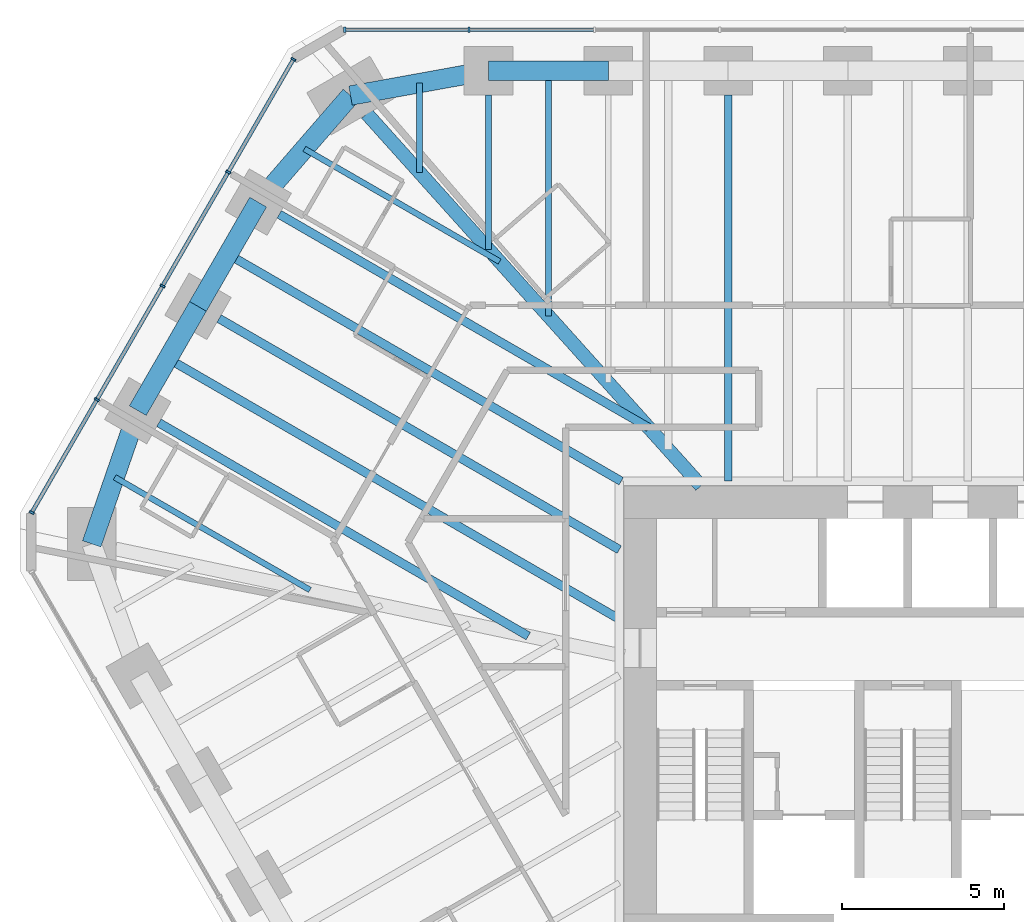
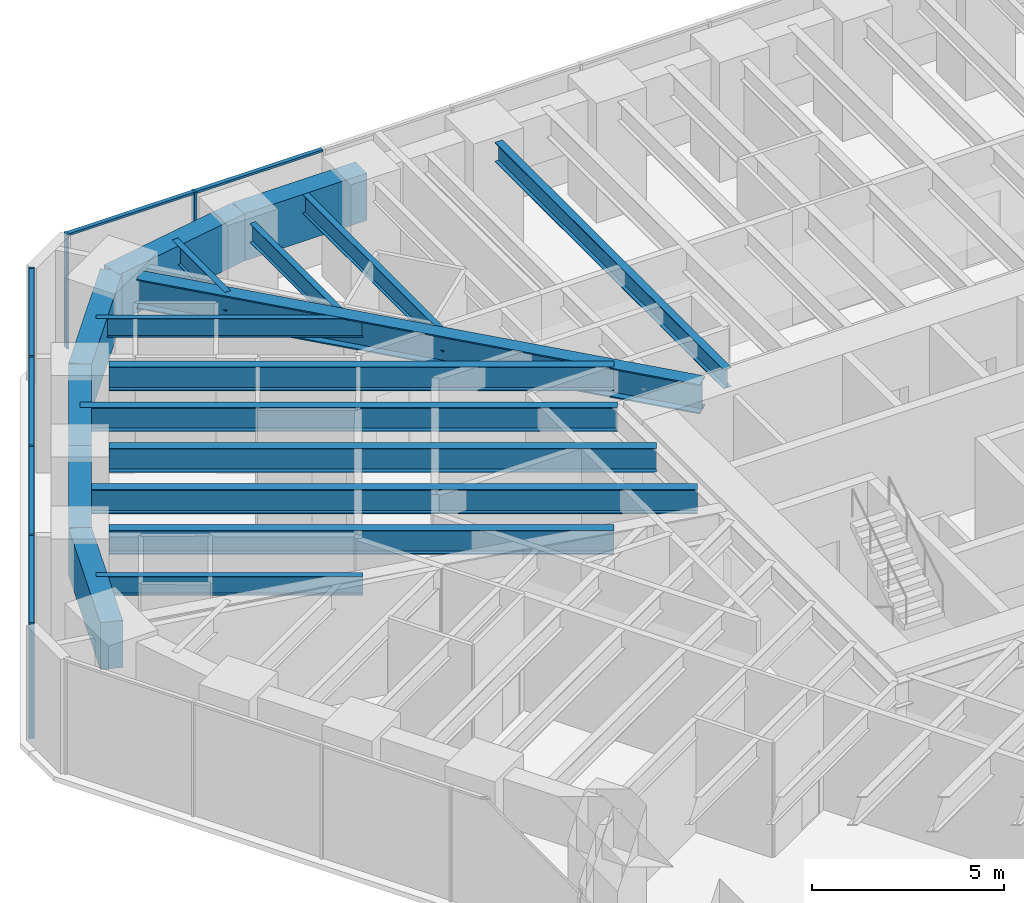
# One storey, part 7 of 16: 18 beams, 13 members, 2 elements without a shape of their own.
"""IFC4 building model written with IfcOpenShell, lengths in metres."""

from ifc_helpers import new_model, si_unit, direction, frame, origin, origin_2d, place, context, subcontext, project, spatial, rectangle, i_section, extrude, material, material_profile, profile_set, type_object, element, aggregate, save


model = new_model("IFC4")

# Units and contexts
model_context = context("Model", 3, precision=1e-05, world=origin(), true_north=direction((0.0, 1.0)))
body_context = subcontext(model_context, "Body", "Model", "MODEL_VIEW")
ifc_project = project(units=[si_unit("LENGTHUNIT", "METRE"), si_unit("AREAUNIT", "SQUARE_METRE"), si_unit("VOLUMEUNIT", "CUBIC_METRE"), si_unit("PLANEANGLEUNIT", "RADIAN"), si_unit("MASSUNIT", "GRAM", prefix="KILO")], contexts=[model_context])

# Site, building, storey
site_placement = place(None, origin())
site = spatial("IfcSite", under=ifc_project, at=site_placement, CompositionType="ELEMENT")
building_placement = place(site_placement, origin())
building = spatial("IfcBuilding", under=site, at=building_placement, Name="Sandreach Pilgrim Tower", CompositionType="ELEMENT")
storey_placement = place(building_placement, frame((0.0, 0.0, 209.800048828125)))
storey = spatial("IfcBuildingStorey", under=building, at=storey_placement, Name="L52", CompositionType="ELEMENT", Elevation=209.800048828125)

# Curtain wall, members
ifc_material_1 = material(Name="Aluminium framed curtain wall", Category="aluminium")
curtain_wall_type = type_object("IfcCurtainWallType", Name="Upper hotel tower curtain wall", PredefinedType="NOTDEFINED", material=ifc_material_1)
curtain_wall_1_placement = place(storey_placement, origin())
curtain_wall_1 = element("IfcCurtainWall", 1, at=curtain_wall_1_placement, inside=storey, type_object=curtain_wall_type, Name="CW-3 L52 N", PredefinedType="NOTDEFINED")
ifc_material_2 = material(Name="Aluminium extrusion", Category="aluminium")
ifc_material_profile_1 = material_profile(ifc_material_2, rectangle(XDim=0.06494140625, YDim=0.159912109375, at=origin_2d()), Name="CW-3M 65X160")
ifc_profile_set_1 = profile_set([ifc_material_profile_1], Name="Aluminium extrusion")
member_type_1 = type_object("IfcMemberType", Name="CW-3 mullion", PredefinedType="MULLION", material=ifc_profile_set_1)
member_1_placement = place(storey_placement, frame((-17.357421875, 21.16015625, 0.0), z_axis=(0.0, 0.0, 1.0), x_axis=(1.0, 0.0, 0.0)))
member_1 = element("IfcMember", 2, at=member_1_placement, type_object=member_type_1, Name="CW-3 mullion 1", PredefinedType="MULLION", context=body_context, shape_type="SweptSolid", body=[
    extrude(rectangle(XDim=0.06494140625, YDim=0.159912109375, at=origin_2d()), origin(), (0.0, 0.0, 1.0), 3.639892578125),
])
member_2_placement = place(storey_placement, frame((-13.525390625, 21.16015625, 0.0), z_axis=(0.0, 0.0, 1.0), x_axis=(1.0, 0.0, 0.0)))
member_2 = element("IfcMember", 3, at=member_2_placement, type_object=member_type_1, Name="CW-3 mullion 2", PredefinedType="MULLION", context=body_context, shape_type="SweptSolid", body=[
    extrude(rectangle(XDim=0.06494140625, YDim=0.159912109375, at=origin_2d()), origin(), (0.0, 0.0, 1.0), 3.639892578125),
])

curtain_wall_2_placement = place(storey_placement, origin())
curtain_wall_2 = element("IfcCurtainWall", 4, at=curtain_wall_2_placement, inside=storey, type_object=curtain_wall_type, Name="CW-3 L52 NW", PredefinedType="NOTDEFINED")
member_3_placement = place(storey_placement, frame((-27.00390625, 6.278076171875, 0.0), z_axis=(0.0, 0.0, 1.0), x_axis=(0.5, 0.866025403784, 0.0)))
member_3 = element("IfcMember", 5, at=member_3_placement, type_object=member_type_1, Name="CW-3 mullion 1", PredefinedType="MULLION", context=body_context, shape_type="SweptSolid", body=[
    extrude(rectangle(XDim=0.06494140625, YDim=0.159912109375, at=origin_2d()), origin(), (0.0, 0.0, 1.0), 3.639892578125),
])
member_4_placement = place(storey_placement, frame((-24.995849609375, 9.75634765625, 0.0), z_axis=(0.0, 0.0, 1.0), x_axis=(0.5, 0.866025403784, 0.0)))
member_4 = element("IfcMember", 6, at=member_4_placement, type_object=member_type_1, Name="CW-3 mullion 2", PredefinedType="MULLION", context=body_context, shape_type="SweptSolid", body=[
    extrude(rectangle(XDim=0.06494140625, YDim=0.159912109375, at=origin_2d()), origin(), (0.0, 0.0, 1.0), 3.639892578125),
])
member_5_placement = place(storey_placement, frame((-22.971435546875, 13.262451171875, 0.0), z_axis=(0.0, 0.0, 1.0), x_axis=(0.5, 0.866025403784, 0.0)))
member_5 = element("IfcMember", 7, at=member_5_placement, type_object=member_type_1, Name="CW-3 mullion 3", PredefinedType="MULLION", context=body_context, shape_type="SweptSolid", body=[
    extrude(rectangle(XDim=0.06494140625, YDim=0.159912109375, at=origin_2d()), origin(), (0.0, 0.0, 1.0), 3.639892578125),
])
member_6_placement = place(storey_placement, frame((-20.947021484375, 16.768798828125, 0.0), z_axis=(0.0, 0.0, 1.0), x_axis=(0.5, 0.866025403784, 0.0)))
member_6 = element("IfcMember", 8, at=member_6_placement, type_object=member_type_1, Name="CW-3 mullion 4", PredefinedType="MULLION", context=body_context, shape_type="SweptSolid", body=[
    extrude(rectangle(XDim=0.06494140625, YDim=0.159912109375, at=origin_2d()), origin(), (0.0, 0.0, 1.0), 3.639892578125),
])
member_7_placement = place(storey_placement, frame((-18.93896484375, 20.2470703125, 0.0), z_axis=(0.0, 0.0, 1.0), x_axis=(0.5, 0.866025403784, 0.0)))
member_7 = element("IfcMember", 9, at=member_7_placement, type_object=member_type_1, Name="CW-3 mullion 5", PredefinedType="MULLION", context=body_context, shape_type="SweptSolid", body=[
    extrude(rectangle(XDim=0.06494140625, YDim=0.159912109375, at=origin_2d()), origin(), (0.0, 0.0, 1.0), 3.639892578125),
])

# Member
ifc_material_3 = material(Name="Aluminium extrusion", Category="aluminium")
ifc_material_profile_2 = material_profile(ifc_material_3, rectangle(XDim=0.1201171875, YDim=0.070068359375, at=origin_2d()), Name="CW-3T 120X70")
ifc_profile_set_2 = profile_set([ifc_material_profile_2], Name="Aluminium extrusion")
member_type_2 = type_object("IfcMemberType", Name="CW-3 transom", PredefinedType="USERDEFINED", material=ifc_profile_set_2)
member_8_placement = place(storey_placement, frame((-17.324951171875, 21.16015625, 3.60498046875), z_axis=(1.0, 0.0, 0.0), x_axis=(0.0, 1.0, 0.0)))
member_8 = element("IfcMember", 10, at=member_8_placement, type_object=member_type_2, Name="CW-3 head transom 1", ObjectType="TRANSOM", PredefinedType="USERDEFINED", context=body_context, shape_type="SweptSolid", body=[
    extrude(rectangle(XDim=0.1201171875, YDim=0.070068359375, at=origin_2d()), origin(), (0.0, 0.0, 1.0), 3.76708984375),
])

member_9_placement = place(storey_placement, frame((-13.492919921875, 21.16015625, 3.60498046875), z_axis=(1.0, 0.0, 0.0), x_axis=(0.0, 1.0, 0.0)))
member_9 = element("IfcMember", 11, at=member_9_placement, type_object=member_type_2, Name="CW-3 head transom 2", ObjectType="TRANSOM", PredefinedType="USERDEFINED", context=body_context, shape_type="SweptSolid", body=[
    extrude(rectangle(XDim=0.1201171875, YDim=0.070068359375, at=origin_2d()), origin(), (0.0, 0.0, 1.0), 3.79931640625),
])

aggregate(curtain_wall_1, [member_1, member_2, member_8, member_9])

member_10_placement = place(storey_placement, frame((-26.987548828125, 6.306396484375, 3.60498046875), z_axis=(0.499993448556, 0.866029186229, 0.0), x_axis=(-0.866029186229, 0.499993448556, 0.0)))
member_10 = element("IfcMember", 12, at=member_10_placement, type_object=member_type_2, Name="CW-3 head transom 1", ObjectType="TRANSOM", PredefinedType="USERDEFINED", context=body_context, shape_type="SweptSolid", body=[
    extrude(rectangle(XDim=0.1201171875, YDim=0.070068359375, at=origin_2d()), origin(), (0.0, 0.0, 1.0), 3.951171875),
])

member_11_placement = place(storey_placement, frame((-24.9794921875, 9.784423828125, 3.60498046875), z_axis=(0.499975332564, 0.866039645067, 0.0), x_axis=(-0.866039645067, 0.499975332564, 0.0)))
member_11 = element("IfcMember", 13, at=member_11_placement, type_object=member_type_2, Name="CW-3 head transom 2", ObjectType="TRANSOM", PredefinedType="USERDEFINED", context=body_context, shape_type="SweptSolid", body=[
    extrude(rectangle(XDim=0.1201171875, YDim=0.070068359375, at=origin_2d()), origin(), (0.0, 0.0, 1.0), 3.983642578125),
])

member_12_placement = place(storey_placement, frame((-22.955078125, 13.290771484375, 3.60498046875), z_axis=(0.499975332564, 0.866039645067, 0.0), x_axis=(-0.866039645067, 0.499975332564, 0.0)))
member_12 = element("IfcMember", 14, at=member_12_placement, type_object=member_type_2, Name="CW-3 head transom 3", ObjectType="TRANSOM", PredefinedType="USERDEFINED", context=body_context, shape_type="SweptSolid", body=[
    extrude(rectangle(XDim=0.1201171875, YDim=0.070068359375, at=origin_2d()), origin(), (0.0, 0.0, 1.0), 3.983642578125),
])

member_13_placement = place(storey_placement, frame((-20.930908203125, 16.796875, 3.60498046875), z_axis=(0.499993448556, 0.866029186229, 0.0), x_axis=(-0.866029186229, 0.499993448556, 0.0)))
member_13 = element("IfcMember", 15, at=member_13_placement, type_object=member_type_2, Name="CW-3 head transom 4", ObjectType="TRANSOM", PredefinedType="USERDEFINED", context=body_context, shape_type="SweptSolid", body=[
    extrude(rectangle(XDim=0.1201171875, YDim=0.070068359375, at=origin_2d()), origin(), (0.0, 0.0, 1.0), 3.951171875),
])

aggregate(curtain_wall_2, [member_3, member_4, member_5, member_6, member_7, member_10, member_11, member_12, member_13])

# Beams
ifc_material_4 = material(Name="Steel ASTM A992 Grade 50", Category="steel")
ifc_material_profile_3 = material_profile(ifc_material_4, i_section(OverallWidth=0.421630859375, OverallDepth=0.937255859375, WebThickness=0.0224609375, FlangeThickness=0.039794921875, at=origin_2d()), Name="W36X282")
ifc_profile_set_3 = profile_set([ifc_material_profile_3], Name="Steel ASTM A992 Grade 50")
beam_type_1 = type_object("IfcBeamType", Name="Corner girder W36X282", PredefinedType="BEAM", material=ifc_profile_set_3)
beam_1_placement = place(storey_placement, frame((-16.677001953125, 18.572509765625, 3.17138671875), z_axis=(0.668116607722, -0.744056582853, 0.0), x_axis=(0.744056582853, 0.668116607722, 0.0)))
element("IfcBeam", 16, at=beam_1_placement, inside=storey, type_object=beam_type_1, Name="BM L52 CG39", PredefinedType="BEAM", context=body_context, shape_type="SweptSolid", body=[
    extrude(i_section(OverallWidth=0.421630859375, OverallDepth=0.937255859375, WebThickness=0.0224609375, FlangeThickness=0.039794921875, at=origin_2d()), origin(), (0.0, 0.0, 1.0), 15.418701171875),
])
ifc_material_5 = material(Name="Steel ASTM A992 Grade 50", Category="steel")
ifc_material_profile_4 = material_profile(ifc_material_5, i_section(OverallWidth=0.1787109375, OverallDepth=0.60205078125, WebThickness=0.010986328125, FlangeThickness=0.014892578125, at=origin_2d()), Name="W24X62")
ifc_profile_set_4 = profile_set([ifc_material_profile_4], Name="Steel ASTM A992 Grade 50")
beam_type_2 = type_object("IfcBeamType", Name="Floor beam W24X62", PredefinedType="BEAM", material=ifc_profile_set_4)
beam_2_placement = place(storey_placement, frame((-12.923828125, 19.150146484375, 3.3388671875), z_axis=(0.0, -1.0, 0.0), x_axis=(1.0, 0.0, 0.0)))
element("IfcBeam", 17, at=beam_2_placement, inside=storey, type_object=beam_type_2, Name="BM L52 F01", PredefinedType="BEAM", context=body_context, shape_type="SweptSolid", body=[
    extrude(i_section(OverallWidth=0.1787109375, OverallDepth=0.60205078125, WebThickness=0.010986328125, FlangeThickness=0.014892578125, at=origin_2d()), origin(), (0.0, 0.0, 1.0), 4.757568359375),
])
beam_3_placement = place(storey_placement, frame((-11.077392578125, 19.900146484375, 3.3388671875), z_axis=(0.0, -1.0, 0.0), x_axis=(1.0, 0.0, 0.0)))
element("IfcBeam", 18, at=beam_3_placement, inside=storey, type_object=beam_type_2, Name="BM L52 FM01", PredefinedType="BEAM", context=body_context, shape_type="SweptSolid", body=[
    extrude(i_section(OverallWidth=0.1787109375, OverallDepth=0.60205078125, WebThickness=0.010986328125, FlangeThickness=0.014892578125, at=origin_2d()), origin(), (0.0, 0.0, 1.0), 7.563720703125),
])
for number, where, z_axis, x_axis, name in (
    (19, (-24.446044921875, 7.365234375, 3.3388671875), (0.866029381593, -0.499993110171, 0.0), (0.499993110171, 0.866029381593, 0.0), "BM L52 FM35"),
    (20, (-18.6015625, 17.48828125, 3.3388671875), (0.866029381593, -0.499993110171, 0.0), (0.499993110171, 0.866029381593, 0.0), "BM L52 FM38"),
):
    element("IfcBeam", number, at=place(storey_placement, frame(where, z_axis=z_axis, x_axis=x_axis)), inside=storey, type_object=beam_type_2, Name=name, PredefinedType="BEAM", context=body_context, shape_type="SweptSolid", body=[
        extrude(i_section(OverallWidth=0.1787109375, OverallDepth=0.60205078125, WebThickness=0.010986328125, FlangeThickness=0.014892578125, at=origin_2d()), origin(), (0.0, 0.0, 1.0), 6.94921875),
    ])
beam_4_placement = place(storey_placement, frame((-15.05078125, 19.515380859375, 3.3388671875), z_axis=(0.0, -1.0, 0.0), x_axis=(1.0, 0.0, 0.0)))
element("IfcBeam", 21, at=beam_4_placement, inside=storey, type_object=beam_type_2, Name="BM L52 FM39", PredefinedType="BEAM", context=body_context, shape_type="SweptSolid", body=[
    extrude(i_section(OverallWidth=0.1787109375, OverallDepth=0.60205078125, WebThickness=0.010986328125, FlangeThickness=0.014892578125, at=origin_2d()), origin(), (0.0, 0.0, 1.0), 2.75390625),
])
ifc_material_6 = material(Name="Steel ASTM A992 Grade 50", Category="steel")
ifc_material_profile_5 = material_profile(ifc_material_6, i_section(OverallWidth=0.23046875, OverallDepth=0.6171875, WebThickness=0.01318359375, FlangeThickness=0.022216796875, at=origin_2d()), Name="W24X94")
ifc_profile_set_5 = profile_set([ifc_material_profile_5], Name="Steel ASTM A992 Grade 50")
beam_type_3 = type_object("IfcBeamType", Name="Floor beam W24X94", PredefinedType="BEAM", material=ifc_profile_set_5)
beam_5_placement = place(storey_placement, frame((-5.538818359375, 19.150146484375, 3.331298828125), z_axis=(0.0, -1.0, 0.0), x_axis=(1.0, 0.0, 0.0)))
element("IfcBeam", 22, at=beam_5_placement, inside=storey, type_object=beam_type_3, Name="BM L52 F03", PredefinedType="BEAM", context=body_context, shape_type="SweptSolid", body=[
    extrude(i_section(OverallWidth=0.23046875, OverallDepth=0.6171875, WebThickness=0.01318359375, FlangeThickness=0.022216796875, at=origin_2d()), origin(), (0.0, 0.0, 1.0), 11.90673828125),
])
ifc_material_7 = material(Name="Steel ASTM A992 Grade 50", Category="steel")
ifc_material_profile_6 = material_profile(ifc_material_7, i_section(OverallWidth=0.2666015625, OverallDepth=0.761962890625, WebThickness=0.014404296875, FlangeThickness=0.021484375, at=origin_2d()), Name="W30X116")
ifc_profile_set_6 = profile_set([ifc_material_profile_6], Name="Steel ASTM A992 Grade 50")
beam_type_4 = type_object("IfcBeamType", Name="Floor beam W30X116", PredefinedType="BEAM", material=ifc_profile_set_6)
beam_6_placement = place(storey_placement, frame((-23.0859375, 9.044189453125, 3.259033203125), z_axis=(0.866026962808, -0.499997299682, 0.0), x_axis=(0.499997299682, 0.866026962808, 0.0)))
element("IfcBeam", 23, at=beam_6_placement, inside=storey, type_object=beam_type_4, Name="BM L52 F36", PredefinedType="BEAM", context=body_context, shape_type="SweptSolid", body=[
    extrude(i_section(OverallWidth=0.2666015625, OverallDepth=0.761962890625, WebThickness=0.014404296875, FlangeThickness=0.021484375, at=origin_2d()), origin(), (0.0, 0.0, 1.0), 13.1484375),
])
beam_7_placement = place(storey_placement, frame((-21.230712890625, 12.257568359375, 3.259033203125), z_axis=(0.866024056942, -0.500002332792, 0.0), x_axis=(0.500002332792, 0.866024056942, 0.0)))
element("IfcBeam", 24, at=beam_7_placement, inside=storey, type_object=beam_type_4, Name="BM L52 F37", PredefinedType="BEAM", context=body_context, shape_type="SweptSolid", body=[
    extrude(i_section(OverallWidth=0.2666015625, OverallDepth=0.761962890625, WebThickness=0.014404296875, FlangeThickness=0.021484375, at=origin_2d()), origin(), (0.0, 0.0, 1.0), 14.24609375),
])
beam_8_placement = place(storey_placement, frame((-19.37548828125, 15.470947265625, 3.259033203125), z_axis=(0.866022320763, -0.500005339912, 0.0), x_axis=(0.500005339912, 0.866022320763, 0.0)))
element("IfcBeam", 25, at=beam_8_placement, inside=storey, type_object=beam_type_4, Name="BM L52 F38", PredefinedType="BEAM", context=body_context, shape_type="SweptSolid", body=[
    extrude(i_section(OverallWidth=0.2666015625, OverallDepth=0.761962890625, WebThickness=0.014404296875, FlangeThickness=0.021484375, at=origin_2d()), origin(), (0.0, 0.0, 1.0), 13.148193359375),
])
beam_9_placement = place(storey_placement, frame((-20.95263671875, 14.2392578125, 3.259033203125), z_axis=(0.866025770688, -0.499999364504, 0.0), x_axis=(0.499999364504, 0.866025770688, 0.0)))
element("IfcBeam", 26, at=beam_9_placement, inside=storey, type_object=beam_type_4, Name="BM L52 FM37", PredefinedType="BEAM", context=body_context, shape_type="SweptSolid", body=[
    extrude(i_section(OverallWidth=0.2666015625, OverallDepth=0.761962890625, WebThickness=0.014404296875, FlangeThickness=0.021484375, at=origin_2d()), origin(), (0.0, 0.0, 1.0), 13.99169921875),
])
ifc_material_8 = material(Name="Steel ASTM A992 Grade 50", Category="steel")
ifc_material_profile_7 = material_profile(ifc_material_8, i_section(OverallWidth=0.2666015625, OverallDepth=0.77978515625, WebThickness=0.0166015625, FlangeThickness=0.030029296875, at=origin_2d()), Name="W30X148")
ifc_profile_set_7 = profile_set([ifc_material_profile_7], Name="Steel ASTM A992 Grade 50")
beam_type_5 = type_object("IfcBeamType", Name="Floor beam W30X148", PredefinedType="BEAM", material=ifc_profile_set_7)
beam_10_placement = place(storey_placement, frame((-22.807861328125, 11.02587890625, 3.25), z_axis=(0.866028701771, -0.499994287676, 0.0), x_axis=(0.499994287676, 0.866028701771, 0.0)))
element("IfcBeam", 27, at=beam_10_placement, inside=storey, type_object=beam_type_5, Name="BM L52 FM36", PredefinedType="BEAM", context=body_context, shape_type="SweptSolid", body=[
    extrude(i_section(OverallWidth=0.2666015625, OverallDepth=0.77978515625, WebThickness=0.0166015625, FlangeThickness=0.030029296875, at=origin_2d()), origin(), (0.0, 0.0, 1.0), 16.067138671875),
])
ifc_material_9 = material(Name="Concrete 10000 psi", Category="concrete")
ifc_material_profile_8 = material_profile(ifc_material_9, rectangle(XDim=0.60009765625, YDim=1.5, at=origin_2d()), Name="RC600X1500")
ifc_profile_set_8 = profile_set([ifc_material_profile_8], Name="Concrete 10000 psi")
beam_type_6 = type_object("IfcBeamType", Name="Spandrel beam RC600X1500", PredefinedType="SPANDREL", material=ifc_profile_set_8)
beam_11_placement = place(storey_placement, frame((-12.923828125, 19.900146484375, 2.889892578125), z_axis=(1.0, 0.0, 0.0), x_axis=(0.0, 1.0, 0.0)))
element("IfcBeam", 28, at=beam_11_placement, inside=storey, type_object=beam_type_6, Name="BM L52 SP01", PredefinedType="SPANDREL", context=body_context, shape_type="SweptSolid", body=[
    extrude(rectangle(XDim=0.60009765625, YDim=1.5, at=origin_2d()), origin(), (0.0, 0.0, 1.0), 3.692626953125),
])
beam_12_placement = place(storey_placement, frame((-25.156494140625, 5.311279296875, 2.889892578125), z_axis=(0.326940800053, 0.945044820768, 0.0), x_axis=(-0.945044820768, 0.326940800053, 0.0)))
element("IfcBeam", 29, at=beam_12_placement, inside=storey, type_object=beam_type_6, Name="BM L52 SP35", PredefinedType="SPANDREL", context=body_context, shape_type="SweptSolid", body=[
    extrude(rectangle(XDim=0.60009765625, YDim=1.5, at=origin_2d()), origin(), (0.0, 0.0, 1.0), 4.3466796875),
])
for number, where, z_axis, x_axis, name in (
    (30, (-23.7353515625, 9.419189453125, 2.889892578125), (0.499946491854, 0.866056294523, 0.0), (-0.866056294523, 0.499946491854, 0.0), "BM L52 SP36"),
    (31, (-21.88037109375, 12.632568359375, 2.889892578125), (0.499995842751, 0.86602780396, 0.0), (-0.86602780396, 0.499995842751, 0.0), "BM L52 SP37"),
):
    element("IfcBeam", number, at=place(storey_placement, frame(where, z_axis=z_axis, x_axis=x_axis)), inside=storey, type_object=beam_type_6, Name=name, PredefinedType="SPANDREL", context=body_context, shape_type="SweptSolid", body=[
        extrude(rectangle(XDim=0.60009765625, YDim=1.5, at=origin_2d()), origin(), (0.0, 0.0, 1.0), 3.71044921875),
    ])
beam_13_placement = place(storey_placement, frame((-20.025146484375, 15.845947265625, 2.889892578125), z_axis=(0.65499040715, 0.755637192402, 0.0), x_axis=(-0.755637192402, 0.65499040715, 0.0)))
element("IfcBeam", 32, at=beam_13_placement, inside=storey, type_object=beam_type_6, Name="BM L52 SP38", PredefinedType="SPANDREL", context=body_context, shape_type="SweptSolid", body=[
    extrude(rectangle(XDim=0.60009765625, YDim=1.5, at=origin_2d()), origin(), (0.0, 0.0, 1.0), 4.346923828125),
])
beam_14_placement = place(storey_placement, frame((-17.177978515625, 19.130615234375, 2.889892578125), z_axis=(0.984030345637, 0.178000783326, 0.0), x_axis=(-0.178000783326, 0.984030345637, 0.0)))
element("IfcBeam", 33, at=beam_14_placement, inside=storey, type_object=beam_type_6, Name="BM L52 SP39", PredefinedType="SPANDREL", context=body_context, shape_type="SweptSolid", body=[
    extrude(rectangle(XDim=0.60009765625, YDim=1.5, at=origin_2d()), origin(), (0.0, 0.0, 1.0), 4.3232421875),
])

save(model, "model.ifc")
